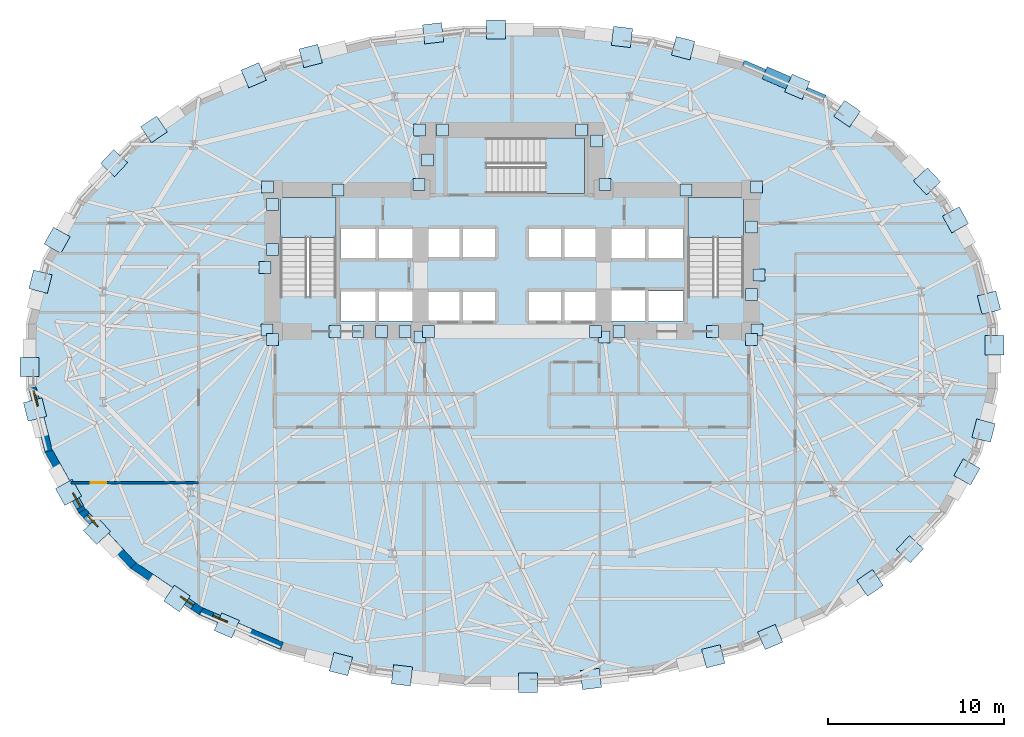
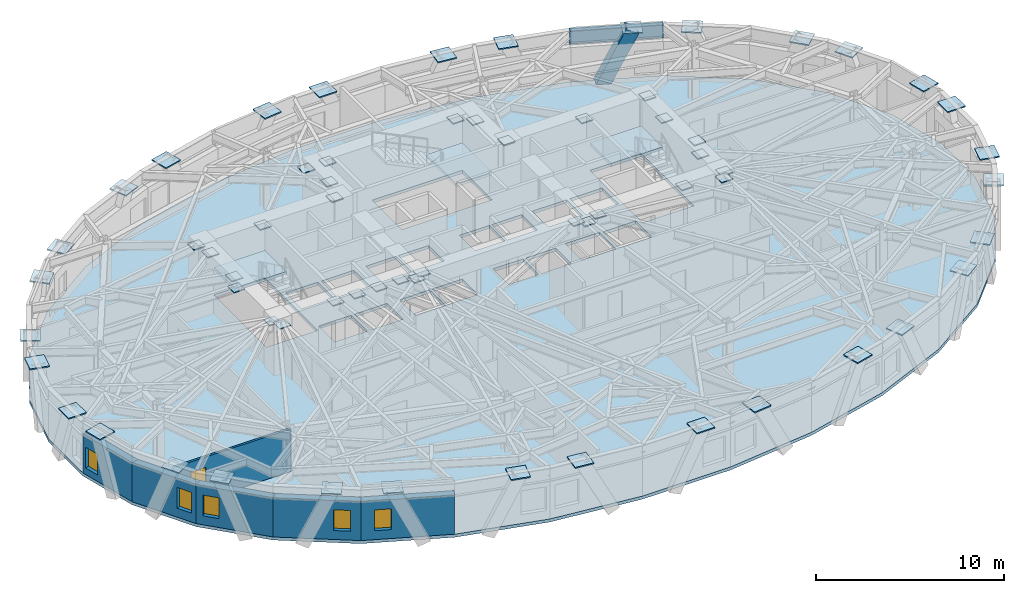
# One storey, part 5 of 14: 63 plates, 6 walls, 5 windows, 4 slabs, 1 beam, 1 door, 1 member, 6 openings, 3 elements without a shape of their own.
"""IFC4 building model written with IfcOpenShell, lengths in metres."""

from ifc_helpers import new_model, si_unit, direction, frame, frame_2d, origin, origin_2d, place, context, subcontext, project, spatial, polyline, rectangle, hollow_rectangle, i_section, outline, extrude, material, layer, layer_set, material_profile, profile_set, type_object, element, fill, aggregate, save


model = new_model("IFC4")

# Units and contexts
model_context = context("Model", 3, precision=1e-05, world=origin(), true_north=direction((0.0, 1.0)))
body_context = subcontext(model_context, "Body", "Model", "MODEL_VIEW")
ifc_project = project(units=[si_unit("LENGTHUNIT", "METRE"), si_unit("AREAUNIT", "SQUARE_METRE"), si_unit("VOLUMEUNIT", "CUBIC_METRE"), si_unit("PLANEANGLEUNIT", "RADIAN"), si_unit("MASSUNIT", "GRAM", prefix="KILO")], contexts=[model_context])

# Site, building, storey
site_placement = place(None, origin())
site = spatial("IfcSite", under=ifc_project, at=site_placement, CompositionType="ELEMENT")
building_placement = place(site_placement, origin())
building = spatial("IfcBuilding", under=site, at=building_placement, Name="Keldmark Tower", CompositionType="ELEMENT")
storey_placement = place(building_placement, frame((0.0, 0.0, 41.39990234375)))
storey = spatial("IfcBuildingStorey", under=building, at=storey_placement, Name="L10", CompositionType="ELEMENT", Elevation=41.39990234375)

# Member
ifc_material_1 = material(Name="Steel ASTM A572 Grade 50", Category="steel")
ifc_material_profile_1 = material_profile(ifc_material_1, hollow_rectangle(XDim=0.75, YDim=0.75, WallThickness=0.06494140625, at=origin_2d()), Name="BOX750X750X65")
ifc_profile_set_1 = profile_set([ifc_material_profile_1], Name="Steel ASTM A572 Grade 50")
member_type = type_object("IfcMemberType", Name="Diagrid Lower Brace BOX750X750X65", PredefinedType="BRACE", material=ifc_profile_set_1)
member_placement = place(storey_placement, frame((14.65966796875, 15.96533203125, -0.27978515625), z_axis=(0.392325591108, -0.168378751163, 0.904283819782), x_axis=(0.394392607633, 0.918942039001, 0.0)))
element("IfcMember", 1, at=member_placement, inside=storey, type_object=member_type, Name="L10 Perimeter Diagrid Brace 03A", PredefinedType="BRACE", context=body_context, shape_type="SweptSolid", body=[
    extrude(hollow_rectangle(XDim=0.75, YDim=0.75, WallThickness=0.06494140625, at=origin_2d()), origin(), (0.0, 0.0, 1.0), 3.9365234375),
])

# Beam
ifc_material_2 = material(Name="Steel ASTM A992 Grade 50", Category="steel")
ifc_material_profile_2 = material_profile(ifc_material_2, i_section(OverallWidth=0.2919921875, OverallDepth=0.85888671875, WebThickness=0.01708984375, FlangeThickness=0.031005859375, at=origin_2d()), Name="W33X169")
ifc_profile_set_2 = profile_set([ifc_material_profile_2], Name="Steel ASTM A992 Grade 50")
beam_type = type_object("IfcBeamType", Name="Spandrel Ring Beam W33X169", PredefinedType="SPANDREL", material=ifc_profile_set_2)
beam_placement = place(storey_placement, frame((17.786376953125, 14.685791015625, 2.970703125), z_axis=(-0.91889940345, 0.394491934442, 0.0), x_axis=(-0.394491934442, -0.91889940345, 0.0)))
element("IfcBeam", 2, at=beam_placement, inside=storey, type_object=beam_type, Name="L10 Perimeter Spandrel Ring Beam SRB-05", PredefinedType="SPANDREL", context=body_context, shape_type="SweptSolid", body=[
    extrude(i_section(OverallWidth=0.2919921875, OverallDepth=0.85888671875, WebThickness=0.01708984375, FlangeThickness=0.031005859375, at=origin_2d()), origin(), (0.0, 0.0, 1.0), 5.0419921875),
])

# Plates
ifc_material_3 = material(Name="Steel ASTM A572 Grade 50", Category="steel")
ifc_layer_1 = layer(ifc_material_3, 0.06005859375)
ifc_layer_set_1 = layer_set([ifc_layer_1], Name="Steel ASTM A572 Grade 50")
plate_type_1 = type_object("IfcPlateType", Name="Belt Truss Kink Node Assembly KN01 60 mm", PredefinedType="USERDEFINED", material=ifc_layer_set_1)
for number, where, z_axis, x_axis, name in (
    (3, (13.91162109375, 1.473388671875, 3.09814453125), (0.0, 0.0, 1.0), (1.0, 0.0, 0.0), "L10 Core Wall Cast-In Embed Plate 232"),
    (4, (13.878173828125, 9.608154296875, 3.09814453125), (0.0, 0.0, 1.0), (1.0, 0.0, 0.0), "L10 Core Wall Cast-In Embed Plate 233"),
    (5, (5.28515625, 9.758544921875, 3.09814453125), (0.0, 0.0, 1.0), (1.0, 0.0, 0.0), "L10 Core Wall Cast-In Embed Plate 234"),
    (6, (-5.28515625, 9.758544921875, 3.09814453125), (0.0, 0.0, 1.0), (1.0, 0.0, 0.0), "L10 Core Wall Cast-In Embed Plate 235"),
    (7, (-13.878173828125, 9.608154296875, 3.09814453125), (0.0, 0.0, 1.0), (1.0, 0.0, 0.0), "L10 Core Wall Cast-In Embed Plate 236"),
    (8, (-13.91162109375, 1.473388671875, 3.09814453125), (0.0, 0.0, 1.0), (1.0, 0.0, 0.0), "L10 Core Wall Cast-In Embed Plate 237"),
    (9, (-5.24072265625, 1.08251953125, 3.09814453125), (0.0, 0.0, 1.0), (1.0, 0.0, 0.0), "L10 Core Wall Cast-In Embed Plate 238"),
    (10, (5.24072265625, 1.08251953125, 3.09814453125), (0.0, 0.0, 1.0), (1.0, 0.0, 0.0), "L10 Core Wall Cast-In Embed Plate 239"),
    (11, (9.892822265625, 9.449951171875, 3.10400390625), (0.0, 0.0, 1.0), (1.0, 0.0, 0.0), "L10 Core Wall Cast-In Embed Plate 240"),
    (12, (-9.892822265625, 9.449951171875, 3.10400390625), (0.0, 0.0, 1.0), (1.0, 0.0, 0.0), "L10 Core Wall Cast-In Embed Plate 241"),
    (13, (-5.25, 12.85009765625, 3.10400390625), (0.0, 0.0, 1.0), (1.0, 0.0, 0.0), "L10 Core Wall Cast-In Embed Plate 242"),
    (14, (-8.735595703125, 1.39990234375, 3.10400390625), (0.0, 0.0, 1.0), (1.0, 0.0, 0.0), "L10 Core Wall Cast-In Embed Plate 243"),
    (15, (-13.60009765625, 0.949951171875, 3.10400390625), (0.0, 0.0, 1.0), (1.0, 0.0, 0.0), "L10 Core Wall Cast-In Embed Plate 244"),
    (16, (-6.07861328125, 1.39990234375, 3.10400390625), (0.0, 0.0, 1.0), (1.0, 0.0, 0.0), "L10 Core Wall Cast-In Embed Plate 245"),
    (17, (13.60009765625, 0.949951171875, 3.10400390625), (0.0, 0.0, 1.0), (1.0, 0.0, 0.0), "L10 Core Wall Cast-In Embed Plate 246"),
    (18, (13.60009765625, 7.343017578125, 3.10400390625), (0.0, 0.0, 1.0), (1.0, 0.0, 0.0), "L10 Core Wall Cast-In Embed Plate 247"),
    (19, (4.800048828125, 12.22509765625, 3.10400390625), (0.0, 0.0, 1.0), (1.0, 0.0, 0.0), "L10 Core Wall Cast-In Embed Plate 248"),
    (20, (3.9375, 12.85009765625, 3.10400390625), (0.0, 0.0, 1.0), (1.0, 0.0, 0.0), "L10 Core Wall Cast-In Embed Plate 249"),
    (21, (-3.9375, 12.85009765625, 3.10400390625), (0.0, 0.0, 1.0), (1.0, 0.0, 0.0), "L10 Core Wall Cast-In Embed Plate 250"),
    (22, (-4.800048828125, 11.14990234375, 3.10400390625), (0.0, 0.0, 1.0), (1.0, 0.0, 0.0), "L10 Core Wall Cast-In Embed Plate 251"),
    (23, (-13.60009765625, 6.064208984375, 3.10400390625), (0.0, 0.0, 1.0), (1.0, 0.0, 0.0), "L10 Core Wall Cast-In Embed Plate 252"),
    (24, (-13.60009765625, 8.621337890625, 3.10400390625), (0.0, 0.0, 1.0), (1.0, 0.0, 0.0), "L10 Core Wall Cast-In Embed Plate 253"),
    (25, (4.75, 1.39990234375, 3.10400390625), (0.0, 0.0, 1.0), (1.0, 0.0, 0.0), "L10 Core Wall Cast-In Embed Plate 254"),
    (26, (-10.064208984375, 1.39990234375, 3.10400390625), (0.0, 0.0, 1.0), (1.0, 0.0, 0.0), "L10 Core Wall Cast-In Embed Plate 255"),
    (27, (-4.75, 1.39990234375, 3.10400390625), (0.0, 0.0, 1.0), (1.0, 0.0, 0.0), "L10 Core Wall Cast-In Embed Plate 256"),
    (28, (-7.406982421875, 1.39990234375, 3.10400390625), (0.0, 0.0, 1.0), (1.0, 0.0, 0.0), "L10 Core Wall Cast-In Embed Plate 257"),
    (29, (6.07861328125, 1.39990234375, 3.10400390625), (0.0, 0.0, 1.0), (1.0, 0.0, 0.0), "L10 Core Wall Cast-In Embed Plate 258"),
    (30, (11.392822265625, 1.39990234375, 3.10400390625), (0.0, 0.0, 1.0), (1.0, 0.0, 0.0), "L10 Core Wall Cast-In Embed Plate 259"),
    (31, (13.60009765625, 3.507080078125, 3.10400390625), (0.0, 0.0, 1.0), (1.0, 0.0, 0.0), "L10 Core Wall Cast-In Embed Plate 260"),
    (32, (-14.044921875, 5.0400390625, 3.14404296875), (0.0, 0.0, 1.0), (1.0, 0.0, 0.0), "L10 Core Wall Cast-In Embed Plate 261"),
    (33, (14.044921875, 4.6201171875, 3.14404296875), (0.0, 0.0, 1.0), (1.0, 0.0, 0.0), "L10 Core Wall Cast-In Embed Plate 262"),
):
    element("IfcPlate", number, at=place(storey_placement, frame(where, z_axis=z_axis, x_axis=x_axis)), inside=storey, type_object=plate_type_1, Name=name, ObjectType="CAP PLATE", PredefinedType="USERDEFINED", context=body_context, shape_type="SweptSolid", body=[
        extrude(rectangle(XDim=0.679931640625, YDim=0.679931640625, at=origin_2d()), origin(), (0.0, 0.0, 1.0), 0.054931640625),
    ])
ifc_material_4 = material(Name="Steel ASTM A572 Grade 50", Category="steel")
ifc_layer_2 = layer(ifc_material_4, 0.074951171875)
ifc_layer_set_2 = layer_set([ifc_layer_2], Name="Steel ASTM A572 Grade 50")
plate_type_2 = type_object("IfcPlateType", Name="Diagrid Node Assembly DN01 75 mm", PredefinedType="USERDEFINED", material=ifc_layer_set_2)
for number, where, z_axis, x_axis, name in (
    (34, (27.096923828125, 3.034423828125, 3.24267578125), (0.0, 0.0, 1.0), (-0.248013628006, 0.968756543371, 0.0), "L10 Diagrid Node Assembly 01"),
    (35, (25.1943359375, 7.742919921875, 3.24267578125), (0.0, 0.0, 1.0), (-0.487402531354, 0.87317740032, 0.0), "L10 Diagrid Node Assembly 02"),
    (36, (23.576904296875, 9.93115234375, 3.24267578125), (0.0, 0.0, 1.0), (-0.683018857343, 0.730400739673, 0.0), "L10 Diagrid Node Assembly 03"),
    (37, (19.035400390625, 13.769775390625, 3.24267578125), (0.0, 0.0, 1.0), (-0.827864584251, 0.560928007986, 0.0), "L10 Diagrid Node Assembly 04"),
    (38, (16.2041015625, 15.302490234375, 3.24267578125), (0.0, 0.0, 1.0), (-0.918860091955, 0.394583491055, 0.0), "L10 Diagrid Node Assembly 05"),
    (39, (9.722900390625, 17.493896484375, 3.24267578125), (0.0, 0.0, 1.0), (-0.968713242072, 0.248182704141, 0.0), "L10 Diagrid Node Assembly 06"),
    (40, (6.251220703125, 18.134765625, 3.24267578125), (0.0, 0.0, 1.0), (-0.993150271527, 0.1168440763, 0.0), "L10 Diagrid Node Assembly 07"),
    (41, (-0.90771484375, 18.551513671875, 3.24267578125), (0.0, 0.0, 1.0), (-1.0, 0.0, 0.0), "L10 Diagrid Node Assembly 08"),
    (42, (-4.48095703125, 18.342041015625, 3.24267578125), (0.0, 0.0, 1.0), (-0.993150271527, -0.1168440763, 0.0), "L10 Diagrid Node Assembly 09"),
    (43, (-11.43505859375, 17.053466796875, 3.24267578125), (0.0, 0.0, 1.0), (-0.968713242072, -0.248182704141, 0.0), "L10 Diagrid Node Assembly 10"),
    (44, (-14.66943359375, 15.958984375, 3.24267578125), (0.0, 0.0, 1.0), (-0.918860091955, -0.394583491055, 0.0), "L10 Diagrid Node Assembly 11"),
    (45, (-20.339111328125, 12.8837890625, 3.24267578125), (0.0, 0.0, 1.0), (-0.827864584251, -0.560928007986, 0.0), "L10 Diagrid Node Assembly 12"),
    (46, (-22.60498046875, 10.9677734375, 3.24267578125), (0.0, 0.0, 1.0), (-0.683018857343, -0.730400739673, 0.0), "L10 Diagrid Node Assembly 13"),
    (47, (-25.842041015625, 6.579345703125, 3.24267578125), (0.0, 0.0, 1.0), (-0.487402531354, -0.87317740032, 0.0), "L10 Diagrid Node Assembly 14"),
    (48, (-26.7900390625, 4.230224609375, 3.24267578125), (0.0, 0.0, 1.0), (-0.248013628006, -0.968756543371, 0.0), "L10 Diagrid Node Assembly 15"),
    (49, (-27.40625, -0.616943359375, 3.24267578125), (0.0, 0.0, 1.0), (0.0, -1.0, 0.0), "L10 Diagrid Node Assembly 16"),
    (50, (-27.096923828125, -3.034423828125, 3.24267578125), (0.0, 0.0, 1.0), (0.248013628006, -0.968756543371, 0.0), "L10 Diagrid Node Assembly 17"),
    (51, (-25.1943359375, -7.742919921875, 3.24267578125), (0.0, 0.0, 1.0), (0.487402531354, -0.87317740032, 0.0), "L10 Diagrid Node Assembly 18"),
    (52, (-23.576904296875, -9.93115234375, 3.24267578125), (0.0, 0.0, 1.0), (0.683018857343, -0.730400739673, 0.0), "L10 Diagrid Node Assembly 19"),
    (53, (-19.035400390625, -13.769775390625, 3.24267578125), (0.0, 0.0, 1.0), (0.827864584251, -0.560928007986, 0.0), "L10 Diagrid Node Assembly 20"),
    (54, (-16.2041015625, -15.302490234375, 3.24267578125), (0.0, 0.0, 1.0), (0.918860091955, -0.394583491055, 0.0), "L10 Diagrid Node Assembly 21"),
    (55, (-9.722900390625, -17.493896484375, 3.24267578125), (0.0, 0.0, 1.0), (0.968713242072, -0.248182704141, 0.0), "L10 Diagrid Node Assembly 22"),
    (56, (-6.251220703125, -18.134765625, 3.24267578125), (0.0, 0.0, 1.0), (0.993150271527, -0.1168440763, 0.0), "L10 Diagrid Node Assembly 23"),
    (57, (0.90771484375, -18.551513671875, 3.24267578125), (0.0, 0.0, 1.0), (1.0, 0.0, 0.0), "L10 Diagrid Node Assembly 24"),
    (58, (4.48095703125, -18.342041015625, 3.24267578125), (0.0, 0.0, 1.0), (0.993150271527, 0.1168440763, 0.0), "L10 Diagrid Node Assembly 25"),
    (59, (11.43505859375, -17.053466796875, 3.24267578125), (0.0, 0.0, 1.0), (0.968713242072, 0.248182704141, 0.0), "L10 Diagrid Node Assembly 26"),
    (60, (14.66943359375, -15.958984375, 3.24267578125), (0.0, 0.0, 1.0), (0.918860091955, 0.394583491055, 0.0), "L10 Diagrid Node Assembly 27"),
    (61, (20.339111328125, -12.8837890625, 3.24267578125), (0.0, 0.0, 1.0), (0.827864584251, 0.560928007986, 0.0), "L10 Diagrid Node Assembly 28"),
    (62, (22.60498046875, -10.9677734375, 3.24267578125), (0.0, 0.0, 1.0), (0.683018857343, 0.730400739673, 0.0), "L10 Diagrid Node Assembly 29"),
    (63, (25.842041015625, -6.579345703125, 3.24267578125), (0.0, 0.0, 1.0), (0.487402531354, 0.87317740032, 0.0), "L10 Diagrid Node Assembly 30"),
    (64, (26.7900390625, -4.230224609375, 3.24267578125), (0.0, 0.0, 1.0), (0.248013628006, 0.968756543371, 0.0), "L10 Diagrid Node Assembly 31"),
    (65, (27.40625, 0.616943359375, 3.24267578125), (0.0, 0.0, 1.0), (0.0, 1.0, 0.0), "L10 Diagrid Node Assembly 32"),
):
    element("IfcPlate", number, at=place(storey_placement, frame(where, z_axis=z_axis, x_axis=x_axis)), inside=storey, type_object=plate_type_2, Name=name, ObjectType="GUSSET", PredefinedType="USERDEFINED", context=body_context, shape_type="SweptSolid", body=[
        extrude(rectangle(XDim=1.090087890625, YDim=1.090087890625, at=origin_2d()), origin(), (0.0, 0.0, 1.0), 0.074951171875),
    ])

# Slab
ifc_material_5 = material(Name="Concrete C35/45", Category="concrete")
ifc_layer_3 = layer(ifc_material_5, 0.199951171875)
ifc_layer_set_3 = layer_set([ifc_layer_3], Name="Concrete C35/45")
slab_type_1 = type_object("IfcSlabType", Name="Low-Rise Office Composite Slab 200 mm", PredefinedType="FLOOR", material=ifc_layer_set_3)
slab_1_placement = place(storey_placement, frame((0.0, 0.0, -0.199951171875)))
element("IfcSlab", 66, at=slab_1_placement, inside=storey, type_object=slab_type_1, Name="L10 Composite Structural Floor Slab", PredefinedType="FLOOR", context=body_context, shape_type="SweptSolid", body=[
    extrude(outline(polyline([(27.4658203125, 1.8330078125), (26.538330078125, 5.455078125), (24.6083984375, 8.912841796875), (21.6728515625, 12.05224609375), (17.786376953125, 14.685791015625), (13.1533203125, 16.6748046875), (8.05029296875, 17.982666015625), (2.705078125, 18.611083984375), (-2.705078125, 18.611083984375), (-8.05029296875, 17.982666015625), (-13.1533203125, 16.6748046875), (-17.786376953125, 14.685791015625), (-21.6728515625, 12.05224609375), (-24.6083984375, 8.912841796875), (-26.538330078125, 5.455078125), (-27.4658203125, 1.8330078125), (-27.4658203125, -1.8330078125), (-26.538330078125, -5.455078125), (-24.6083984375, -8.912841796875), (-21.6728515625, -12.05224609375), (-17.786376953125, -14.685791015625), (-13.1533203125, -16.6748046875), (-8.05029296875, -17.982666015625), (-2.705078125, -18.611083984375), (2.705078125, -18.611083984375), (8.05029296875, -17.982666015625), (13.1533203125, -16.6748046875), (17.786376953125, -14.685791015625), (21.6728515625, -12.05224609375), (24.6083984375, -8.912841796875), (26.538330078125, -5.455078125), (27.4658203125, -1.8330078125), (27.4658203125, 1.8330078125)]), holes=[polyline([(-10.0, 3.385009765625), (-10.0, 9.0), (-13.14990234375, 9.0), (-13.14990234375, 3.385009765625), (-10.0, 3.385009765625)]), polyline([(13.14990234375, 3.385009765625), (13.14990234375, 9.0), (10.0, 9.0), (10.0, 3.385009765625), (13.14990234375, 3.385009765625)]), polyline([(-1.43994140625, 9.25), (4.10498046875, 9.25), (4.10498046875, 12.39990234375), (-1.43994140625, 12.39990234375), (-1.43994140625, 9.25)]), polyline([(-9.75, 2.0), (-7.75, 2.0), (-7.75, 3.699951171875), (-9.75, 3.699951171875), (-9.75, 2.0)]), polyline([(7.75, 2.0), (9.75, 2.0), (9.75, 3.699951171875), (7.75, 3.699951171875), (7.75, 2.0)]), polyline([(5.449951171875, 2.0), (7.550048828125, 2.0), (7.550048828125, 3.75), (5.449951171875, 3.75), (5.449951171875, 2.0)]), polyline([(-4.800048828125, 2.0), (-2.949951171875, 2.0), (-2.949951171875, 3.64990234375), (-4.800048828125, 3.64990234375), (-4.800048828125, 2.0)]), polyline([(-2.800048828125, 2.0), (-0.949951171875, 2.0), (-0.949951171875, 3.64990234375), (-2.800048828125, 3.64990234375), (-2.800048828125, 2.0)]), polyline([(0.949951171875, 2.0), (2.800048828125, 2.0), (2.800048828125, 3.64990234375), (0.949951171875, 3.64990234375), (0.949951171875, 2.0)]), polyline([(2.949951171875, 2.0), (4.800048828125, 2.0), (4.800048828125, 3.64990234375), (2.949951171875, 3.64990234375), (2.949951171875, 2.0)]), polyline([(-4.800048828125, 5.60009765625), (-2.949951171875, 5.60009765625), (-2.949951171875, 7.25), (-4.800048828125, 7.25), (-4.800048828125, 5.60009765625)]), polyline([(-2.800048828125, 5.60009765625), (-0.949951171875, 5.60009765625), (-0.949951171875, 7.25), (-2.800048828125, 7.25), (-2.800048828125, 5.60009765625)]), polyline([(0.949951171875, 5.60009765625), (2.800048828125, 5.60009765625), (2.800048828125, 7.25), (0.949951171875, 7.25), (0.949951171875, 5.60009765625)]), polyline([(2.949951171875, 5.60009765625), (4.800048828125, 5.60009765625), (4.800048828125, 7.25), (2.949951171875, 7.25), (2.949951171875, 5.60009765625)]), polyline([(-9.75, 5.550048828125), (-7.75, 5.550048828125), (-7.75, 7.25), (-9.75, 7.25), (-9.75, 5.550048828125)]), polyline([(-7.550048828125, 5.550048828125), (-5.550048828125, 5.550048828125), (-5.550048828125, 7.25), (-7.550048828125, 7.25), (-7.550048828125, 5.550048828125)]), polyline([(-7.550048828125, 2.0), (-5.550048828125, 2.0), (-5.550048828125, 3.699951171875), (-7.550048828125, 3.699951171875), (-7.550048828125, 2.0)]), polyline([(5.449951171875, 5.550048828125), (7.550048828125, 5.550048828125), (7.550048828125, 7.25), (5.449951171875, 7.25), (5.449951171875, 5.550048828125)]), polyline([(7.75, 5.550048828125), (9.75, 5.550048828125), (9.75, 7.25), (7.75, 7.25), (7.75, 5.550048828125)])]), origin(), (0.0, 0.0, 1.0), 0.199951171875),
])

# Stair, slab
ifc_material_6 = material(Name="Concrete C40/50", Category="concrete")
stair_type = type_object("IfcStairType", Name="Precast Concrete Core Exit Stair", PredefinedType="HALF_TURN_STAIR", material=ifc_material_6)
stair_1_placement = place(storey_placement, origin())
stair_1 = element("IfcStair", 67, at=stair_1_placement, inside=storey, type_object=stair_type, Name="L10 Exit Stair ST1", PredefinedType="HALF_TURN_STAIR")
ifc_material_7 = material(Name="Concrete C40/50", Category="concrete")
ifc_layer_4 = layer(ifc_material_7, 0.199951171875)
ifc_layer_set_4 = layer_set([ifc_layer_4], Name="Concrete C40/50")
slab_type_2 = type_object("IfcSlabType", Name="Reinforced Concrete Stair Landing 200 mm", PredefinedType="LANDING", material=ifc_layer_set_4)
slab_2_placement = place(storey_placement, frame((0.0, 0.0, 1.60009765625)))
slab_2 = element("IfcSlab", 68, at=slab_2_placement, type_object=slab_type_2, Name="ST1 landing 1", PredefinedType="LANDING", context=body_context, shape_type="SweptSolid", body=[
    extrude(outline(polyline([(-10.0, 6.72998046875), (-10.0, 9.0), (-13.14990234375, 9.0), (-13.14990234375, 6.72998046875), (-10.0, 6.72998046875)])), origin(), (0.0, 0.0, 1.0), 0.199951171875),
])
aggregate(stair_1, [slab_2])

stair_2_placement = place(storey_placement, origin())
stair_2 = element("IfcStair", 69, at=stair_2_placement, inside=storey, type_object=stair_type, Name="L10 Exit Stair ST2", PredefinedType="HALF_TURN_STAIR")
slab_3_placement = place(storey_placement, frame((0.0, 0.0, 1.60009765625)))
slab_3 = element("IfcSlab", 70, at=slab_3_placement, type_object=slab_type_2, Name="ST2 landing 1", PredefinedType="LANDING", context=body_context, shape_type="SweptSolid", body=[
    extrude(outline(polyline([(13.14990234375, 6.72998046875), (13.14990234375, 9.0), (10.0, 9.0), (10.0, 6.72998046875), (13.14990234375, 6.72998046875)])), origin(), (0.0, 0.0, 1.0), 0.199951171875),
])
aggregate(stair_2, [slab_3])

stair_3_placement = place(storey_placement, origin())
stair_3 = element("IfcStair", 71, at=stair_3_placement, inside=storey, type_object=stair_type, Name="L10 Exit Stair ST3", PredefinedType="HALF_TURN_STAIR")
slab_4_placement = place(storey_placement, frame((0.0, 0.0, 1.60009765625)))
slab_4 = element("IfcSlab", 72, at=slab_4_placement, type_object=slab_type_2, Name="ST3 landing 1", PredefinedType="LANDING", context=body_context, shape_type="SweptSolid", body=[
    extrude(outline(polyline([(1.905029296875, 9.25), (4.10498046875, 9.25), (4.10498046875, 12.39990234375), (1.905029296875, 12.39990234375), (1.905029296875, 9.25)])), origin(), (0.0, 0.0, 1.0), 0.199951171875),
])
aggregate(stair_3, [slab_4])

# Wall, opening, door
ifc_material_8 = material(Name="Acoustic Gypsum Board Interior Partition", Category="gypsum")
ifc_layer_5 = layer(ifc_material_8, 0.1298828125)
ifc_layer_set_5 = layer_set([ifc_layer_5], Name="Acoustic Gypsum Board Interior Partition")
wall_type_1 = type_object("IfcWallType", Name="Interior Partition 130 mm", PredefinedType="PARTITIONING", material=ifc_layer_set_5)
wall_1_placement = place(storey_placement, frame((-25.051513671875, -7.199951171875, 0.0), z_axis=(0.0, 0.0, 1.0), x_axis=(1.0, 0.0, 0.0)))
wall_1 = element("IfcWall", 73, at=wall_1_placement, inside=storey, type_object=wall_type_1, Name="L10 Interior Partition 130 mm W-CAP-S", PredefinedType="PARTITIONING", context=body_context, shape_type="SweptSolid", body=[
    extrude(rectangle(XDim=7.25146484375, YDim=0.1298828125, at=frame_2d((3.625732421875, 0.0))), origin(), (0.0, 0.0, 1.0), 2.779052734375),
])
opening_1_placement = place(wall_1_placement, frame((1.110107421875, 0.0, 0.0)))
opening_1 = element("IfcOpeningElement", 74, at=opening_1_placement, cuts=wall_1, Name="Opening D-IN090", PredefinedType="OPENING", context=body_context, shape_type="SweptSolid", body=[
    extrude(rectangle(XDim=0.89990234375, YDim=2.10009765625, at=frame_2d((0.449951171875, 1.050048828125))), frame((0.0, 0.074951171875, 0.0), z_axis=(0.0, -1.0, 0.0), x_axis=(1.0, 0.0, 0.0)), (0.0, 0.0, 1.0), 0.14990234375),
])
ifc_material_9 = material(Name="Stained American White Oak Veneer", Category="wood")
door_type = type_object("IfcDoorType", Name="Interior Door 900x2100", OperationType="NOTDEFINED", PredefinedType="DOOR", material=ifc_material_9)
door_placement = place(opening_1_placement, origin())
door = element("IfcDoor", 75, at=door_placement, inside=storey, type_object=door_type, Name="L10 Interior Door 900x2100 D-WRSW-L10", OperationType="SINGLE_SWING_LEFT", OverallHeight=2.10009765625, OverallWidth=0.89990234375, PredefinedType="DOOR", context=body_context, shape_type="SweptSolid", body=[
    extrude(rectangle(XDim=0.89990234375, YDim=2.10009765625, at=frame_2d((0.449951171875, 1.050048828125))), frame((0.0, 0.02490234375, 0.0), z_axis=(0.0, -1.0, 0.0), x_axis=(1.0, 0.0, 0.0)), (0.0, 0.0, 1.0), 0.050048828125),
])
fill(opening_1, door)

# Wall, opening, window
ifc_material_10 = material(Name="Ironspot Manganese Brick and Kasota Buff Limestone Spandrel Assembly", Category="masonry")
ifc_layer_6 = layer(ifc_material_10, 0.43994140625)
ifc_layer_set_6 = layer_set([ifc_layer_6], Name="Ironspot Manganese Brick and Kasota Buff Limestone Spandrel Assembly")
wall_type_2 = type_object("IfcWallType", Name="Tower Brick Pier and Spandrel Wall 440 mm", PredefinedType="STANDARD", material=ifc_layer_set_6)
wall_2_placement = place(storey_placement, frame((-26.3251953125, -5.400390625, 0.0), z_axis=(0.0, 0.0, 1.0), x_axis=(-0.248062710061, 0.968743976434, 0.0)))
wall_2 = element("IfcWall", 76, at=wall_2_placement, inside=storey, type_object=wall_type_2, Name="L10 Exterior Brick and Spandrel Wall 17", PredefinedType="STANDARD", context=body_context, shape_type="SweptSolid", body=[
    extrude(rectangle(XDim=3.739013671875, YDim=0.43994140625, at=frame_2d((1.86962890625, 0.0))), origin(), (0.0, 0.0, 1.0), 2.529052734375),
])
opening_2_placement = place(wall_2_placement, frame((2.638916015625, 0.0, 0.419921875)))
opening_2 = element("IfcOpeningElement", 77, at=opening_2_placement, cuts=wall_2, Name="Opening W-09", PredefinedType="OPENING", context=body_context, shape_type="SweptSolid", body=[
    extrude(rectangle(XDim=0.89990234375, YDim=1.35009765625, at=frame_2d((0.449951171875, 0.675048828125))), frame((0.0, 0.22998046875, 0.0), z_axis=(0.0, -1.0, 0.0), x_axis=(1.0, 0.0, 0.0)), (0.0, 0.0, 1.0), 0.4599609375),
])
ifc_material_11 = material(Name="Thermally Broken Anodized Aluminum and Triple Low-E Argon Glazing", Category="aluminium")
window_type = type_object("IfcWindowType", Name="Corner Pier Deep-Set Window 900x1350", PartitioningType="SINGLE_PANEL", PredefinedType="WINDOW", material=ifc_material_11)
window_1_placement = place(opening_2_placement, origin())
window_1 = element("IfcWindow", 78, at=window_1_placement, inside=storey, type_object=window_type, Name="L10 Deep-Set Window 17", OverallHeight=1.35009765625, OverallWidth=0.89990234375, PartitioningType="SINGLE_PANEL", PredefinedType="WINDOW", context=body_context, shape_type="SweptSolid", body=[
    extrude(rectangle(XDim=0.89990234375, YDim=1.35009765625, at=frame_2d((0.449951171875, 0.675048828125))), frame((0.0, -0.010009765625, 0.0), z_axis=(0.0, -1.0, 0.0), x_axis=(1.0, 0.0, 0.0)), (0.0, 0.0, 1.0), 0.06005859375),
])
fill(opening_2, window_1)

wall_3_placement = place(storey_placement, frame((-24.416259765625, -8.8056640625, 0.0), z_axis=(0.0, 0.0, 1.0), x_axis=(-0.487369438963, 0.873195871477, 0.0)))
wall_3 = element("IfcWall", 79, at=wall_3_placement, inside=storey, type_object=wall_type_2, Name="L10 Exterior Brick and Spandrel Wall 18", PredefinedType="STANDARD", context=body_context, shape_type="SweptSolid", body=[
    extrude(rectangle(XDim=3.9599609375, YDim=0.43994140625, at=frame_2d((1.97998046875, 0.0))), origin(), (0.0, 0.0, 1.0), 2.529052734375),
])
opening_3_placement = place(wall_3_placement, frame((0.249267578125, 0.0, 0.580078125)))
opening_3 = element("IfcOpeningElement", 80, at=opening_3_placement, cuts=wall_3, Name="Opening W-09", PredefinedType="OPENING", context=body_context, shape_type="SweptSolid", body=[
    extrude(rectangle(XDim=0.89990234375, YDim=1.35009765625, at=frame_2d((0.449951171875, 0.675048828125))), frame((0.0, 0.22998046875, 0.0), z_axis=(0.0, -1.0, 0.0), x_axis=(1.0, 0.0, 0.0)), (0.0, 0.0, 1.0), 0.4599609375),
])
window_2_placement = place(opening_3_placement, origin())
window_2 = element("IfcWindow", 81, at=window_2_placement, inside=storey, type_object=window_type, Name="L10 Deep-Set Window 18", OverallHeight=1.35009765625, OverallWidth=0.89990234375, PartitioningType="SINGLE_PANEL", PredefinedType="WINDOW", context=body_context, shape_type="SweptSolid", body=[
    extrude(rectangle(XDim=0.89990234375, YDim=1.35009765625, at=frame_2d((0.449951171875, 0.675048828125))), frame((0.0, -0.010009765625, 0.0), z_axis=(0.0, -1.0, 0.0), x_axis=(1.0, 0.0, 0.0)), (0.0, 0.0, 1.0), 0.06005859375),
])
fill(opening_3, window_2)

wall_4_placement = place(storey_placement, frame((-21.51220703125, -11.902099609375, 0.0), z_axis=(0.0, 0.0, 1.0), x_axis=(-0.68299392258, 0.730424056093, 0.0)))
wall_4 = element("IfcWall", 82, at=wall_4_placement, inside=storey, type_object=wall_type_2, Name="L10 Exterior Brick and Spandrel Wall 19", PredefinedType="STANDARD", context=body_context, shape_type="SweptSolid", body=[
    extrude(rectangle(XDim=4.298095703125, YDim=0.43994140625, at=frame_2d((2.14892578125, 0.0))), origin(), (0.0, 0.0, 1.0), 2.529052734375),
])
opening_4_placement = place(wall_4_placement, frame((2.998291015625, 0.0, 0.580078125)))
opening_4 = element("IfcOpeningElement", 83, at=opening_4_placement, cuts=wall_4, Name="Opening W-09", PredefinedType="OPENING", context=body_context, shape_type="SweptSolid", body=[
    extrude(rectangle(XDim=0.89990234375, YDim=1.35009765625, at=frame_2d((0.449951171875, 0.675048828125))), frame((0.0, 0.22998046875, 0.0), z_axis=(0.0, -1.0, 0.0), x_axis=(1.0, 0.0, 0.0)), (0.0, 0.0, 1.0), 0.4599609375),
])
window_3_placement = place(opening_4_placement, origin())
window_3 = element("IfcWindow", 84, at=window_3_placement, inside=storey, type_object=window_type, Name="L10 Deep-Set Window 19", OverallHeight=1.35009765625, OverallWidth=0.89990234375, PartitioningType="SINGLE_PANEL", PredefinedType="WINDOW", context=body_context, shape_type="SweptSolid", body=[
    extrude(rectangle(XDim=0.89990234375, YDim=1.35009765625, at=frame_2d((0.449951171875, 0.675048828125))), frame((0.0, -0.010009765625, 0.0), z_axis=(0.0, -1.0, 0.0), x_axis=(1.0, 0.0, 0.0)), (0.0, 0.0, 1.0), 0.06005859375),
])
fill(opening_4, window_3)

wall_5_placement = place(storey_placement, frame((-17.6630859375, -14.503662109375, 0.0), z_axis=(0.0, 0.0, 1.0), x_axis=(-0.827825981515, 0.560984976919, 0.0)))
wall_5 = element("IfcWall", 85, at=wall_5_placement, inside=storey, type_object=wall_type_2, Name="L10 Exterior Brick and Spandrel Wall 20", PredefinedType="STANDARD", context=body_context, shape_type="SweptSolid", body=[
    extrude(rectangle(XDim=4.694580078125, YDim=0.43994140625, at=frame_2d((2.34716796875, 0.0))), origin(), (0.0, 0.0, 1.0), 2.529052734375),
])
opening_5_placement = place(wall_5_placement, frame((0.54931640625, 0.0, 0.580078125)))
opening_5 = element("IfcOpeningElement", 86, at=opening_5_placement, cuts=wall_5, Name="Opening W-09", PredefinedType="OPENING", context=body_context, shape_type="SweptSolid", body=[
    extrude(rectangle(XDim=0.89990234375, YDim=1.35009765625, at=frame_2d((0.449951171875, 0.675048828125))), frame((0.0, 0.22998046875, 0.0), z_axis=(0.0, -1.0, 0.0), x_axis=(1.0, 0.0, 0.0)), (0.0, 0.0, 1.0), 0.4599609375),
])
window_4_placement = place(opening_5_placement, origin())
window_4 = element("IfcWindow", 87, at=window_4_placement, inside=storey, type_object=window_type, Name="L10 Deep-Set Window 20", OverallHeight=1.35009765625, OverallWidth=0.89990234375, PartitioningType="SINGLE_PANEL", PredefinedType="WINDOW", context=body_context, shape_type="SweptSolid", body=[
    extrude(rectangle(XDim=0.89990234375, YDim=1.35009765625, at=frame_2d((0.449951171875, 0.675048828125))), frame((0.0, -0.010009765625, 0.0), z_axis=(0.0, -1.0, 0.0), x_axis=(1.0, 0.0, 0.0)), (0.0, 0.0, 1.0), 0.06005859375),
])
fill(opening_5, window_4)

wall_6_placement = place(storey_placement, frame((-13.066650390625, -16.47265625, 0.0), z_axis=(0.0, 0.0, 1.0), x_axis=(-0.918881850071, 0.394532819433, 0.0)))
wall_6 = element("IfcWall", 88, at=wall_6_placement, inside=storey, type_object=wall_type_2, Name="L10 Exterior Brick and Spandrel Wall 21", PredefinedType="STANDARD", context=body_context, shape_type="SweptSolid", body=[
    extrude(rectangle(XDim=5.0419921875, YDim=0.43994140625, at=frame_2d((2.52099609375, 0.0))), origin(), (0.0, 0.0, 1.0), 2.529052734375),
])
opening_6_placement = place(wall_6_placement, frame((3.393310546875, 0.0, 0.580078125)))
opening_6 = element("IfcOpeningElement", 89, at=opening_6_placement, cuts=wall_6, Name="Opening W-09", PredefinedType="OPENING", context=body_context, shape_type="SweptSolid", body=[
    extrude(rectangle(XDim=0.89990234375, YDim=1.35009765625, at=frame_2d((0.449951171875, 0.675048828125))), frame((0.0, 0.22998046875, 0.0), z_axis=(0.0, -1.0, 0.0), x_axis=(1.0, 0.0, 0.0)), (0.0, 0.0, 1.0), 0.4599609375),
])
window_5_placement = place(opening_6_placement, origin())
window_5 = element("IfcWindow", 90, at=window_5_placement, inside=storey, type_object=window_type, Name="L10 Deep-Set Window 21", OverallHeight=1.35009765625, OverallWidth=0.89990234375, PartitioningType="SINGLE_PANEL", PredefinedType="WINDOW", context=body_context, shape_type="SweptSolid", body=[
    extrude(rectangle(XDim=0.89990234375, YDim=1.35009765625, at=frame_2d((0.449951171875, 0.675048828125))), frame((0.0, -0.010009765625, 0.0), z_axis=(0.0, -1.0, 0.0), x_axis=(1.0, 0.0, 0.0)), (0.0, 0.0, 1.0), 0.06005859375),
])
fill(opening_6, window_5)

save(model, "model.ifc")
